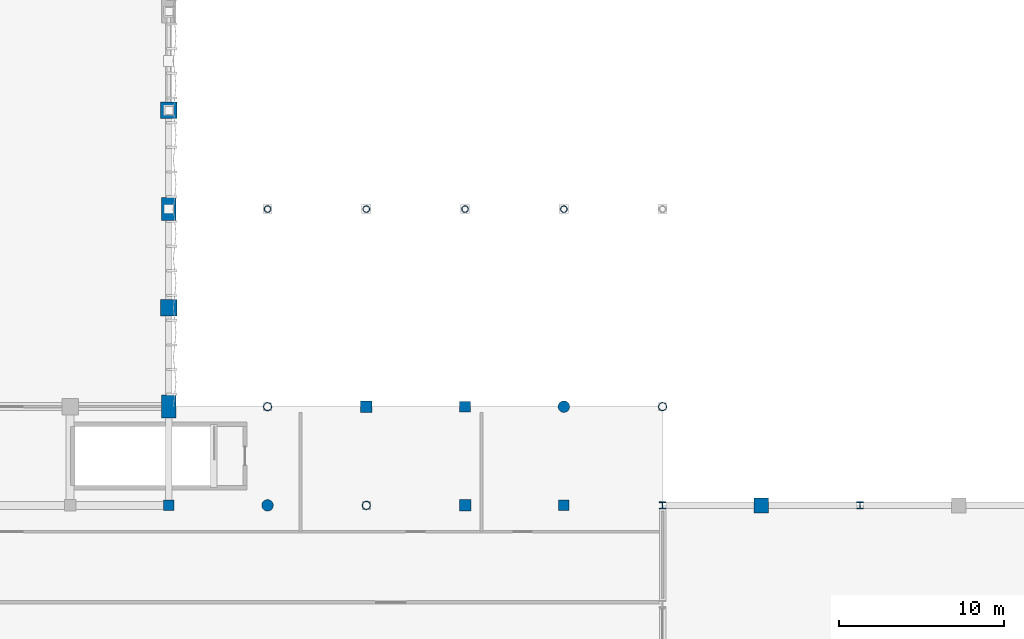
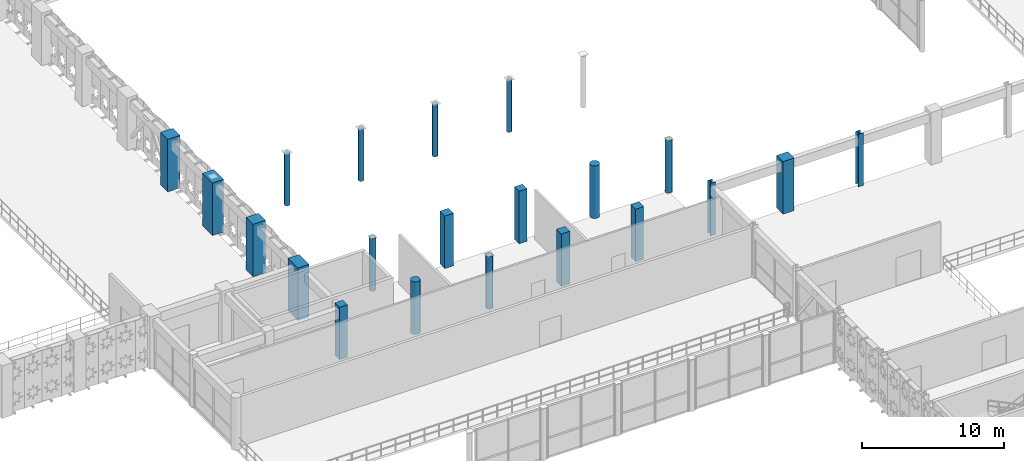
# One storey, part 4 of 116: 21 columns.
"""IFC4 building model written with IfcOpenShell, lengths in metres."""

from ifc_helpers import new_model, si_unit, direction, frame, origin, origin_2d, place, context, subcontext, project, spatial, rectangle, circle, hollow_circle, i_section, extrude, material, material_profile, profile_set, type_object, element, save


model = new_model("IFC4")

# Units and contexts
model_context = context("Model", 3, precision=1e-05, world=origin(), true_north=direction((0.0, 1.0)))
body_context = subcontext(model_context, "Body", "Model", "MODEL_VIEW")
ifc_project = project(units=[si_unit("LENGTHUNIT", "METRE"), si_unit("AREAUNIT", "SQUARE_METRE"), si_unit("VOLUMEUNIT", "CUBIC_METRE"), si_unit("PLANEANGLEUNIT", "RADIAN"), si_unit("MASSUNIT", "GRAM", prefix="KILO"), si_unit("THERMODYNAMICTEMPERATUREUNIT", "KELVIN"), si_unit("POWERUNIT", "WATT")], contexts=[model_context])

# Site, building, storey
site_placement = place(None, origin())
site = spatial("IfcSite", under=ifc_project, at=site_placement, CompositionType="ELEMENT")
building_placement = place(site_placement, origin())
building = spatial("IfcBuilding", under=site, at=building_placement, Name="Phaisarnlok Congress Hotel", CompositionType="ELEMENT")
storey_placement = place(building_placement, frame((0.0, 0.0, 10.5)))
storey = spatial("IfcBuildingStorey", under=building, at=storey_placement, Name="L02", CompositionType="ELEMENT", Elevation=10.5)

# Columns
ifc_material_1 = material(Name="Concrete C50/60", Category="concrete")
ifc_material_profile_1 = material_profile(ifc_material_1, rectangle(XDim=1.0, YDim=1.0, at=origin_2d()), Name="RC 1000x1000")
ifc_profile_set_1 = profile_set([ifc_material_profile_1], Name="Concrete C50/60")
column_type_1 = type_object("IfcColumnType", Name="COL-RC-1000", PredefinedType="COLUMN", material=ifc_profile_set_1)
for number, where, z_axis, x_axis, name in (
    (1, (66.0, 48.0, 0.0), (0.0, 0.0, 1.0), (1.0, 0.0, 0.0), "Column C-09 (L02)"),
    (2, (66.0, 60.0, 0.0), (0.0, 0.0, 1.0), (1.0, 0.0, 0.0), "Column C-09 (L02)"),
):
    element("IfcColumn", number, at=place(storey_placement, frame(where, z_axis=z_axis, x_axis=x_axis)), inside=storey, type_object=column_type_1, Name=name, PredefinedType="COLUMN", context=body_context, shape_type="SweptSolid", body=[
        extrude(rectangle(XDim=1.0, YDim=1.0, at=origin_2d()), origin(), (0.0, 0.0, 1.0), 4.5),
    ])
ifc_material_profile_2 = material_profile(ifc_material_1, rectangle(XDim=0.64990234375, YDim=0.64990234375, at=origin_2d()), Name="RC 650x650")
ifc_profile_set_2 = profile_set([ifc_material_profile_2], Name="Concrete C50/60")
column_type_2 = type_object("IfcColumnType", Name="COL-RC-650", PredefinedType="COLUMN", material=ifc_profile_set_2)
for number, where, z_axis, x_axis, name in (
    (3, (66.0, 36.0, 0.0), (0.0, 0.0, 1.0), (1.0, 0.0, 0.0), "Column C-04 (L02)"),
    (4, (84.0, 42.0, 0.0), (0.0, 0.0, 1.0), (1.0, 0.0, 0.0), "Column C-04 (L02)"),
    (5, (90.0, 36.0, 0.0), (0.0, 0.0, 1.0), (1.0, 0.0, 0.0), "Column C-04 (L02)"),
):
    element("IfcColumn", number, at=place(storey_placement, frame(where, z_axis=z_axis, x_axis=x_axis)), inside=storey, type_object=column_type_2, Name=name, PredefinedType="COLUMN", context=body_context, shape_type="SweptSolid", body=[
        extrude(rectangle(XDim=0.64990234375, YDim=0.64990234375, at=origin_2d()), origin(), (0.0, 0.0, 1.0), 4.5),
    ])
ifc_material_profile_3 = material_profile(ifc_material_1, rectangle(XDim=0.699951171875, YDim=0.699951171875, at=origin_2d()), Name="RC 700x700")
ifc_profile_set_3 = profile_set([ifc_material_profile_3], Name="Concrete C50/60")
column_type_3 = type_object("IfcColumnType", Name="COL-RC-700", PredefinedType="COLUMN", material=ifc_profile_set_3)
for number, where, z_axis, x_axis, name in (
    (6, (78.0, 42.0, 0.0), (0.0, 0.0, 1.0), (1.0, 0.0, 0.0), "Column C-05 (L02)"),
    (7, (84.0, 36.0, 0.0), (0.0, 0.0, 1.0), (1.0, 0.0, 0.0), "Column C-05 (L02)"),
):
    element("IfcColumn", number, at=place(storey_placement, frame(where, z_axis=z_axis, x_axis=x_axis)), inside=storey, type_object=column_type_3, Name=name, PredefinedType="COLUMN", context=body_context, shape_type="SweptSolid", body=[
        extrude(rectangle(XDim=0.699951171875, YDim=0.699951171875, at=origin_2d()), origin(), (0.0, 0.0, 1.0), 4.5),
    ])
ifc_material_profile_4 = material_profile(ifc_material_1, rectangle(XDim=0.89990234375, YDim=0.89990234375, at=origin_2d()), Name="RC 900x900")
ifc_profile_set_4 = profile_set([ifc_material_profile_4], Name="Concrete C50/60")
column_type_4 = type_object("IfcColumnType", Name="COL-RC-900", PredefinedType="COLUMN", material=ifc_profile_set_4)
column_placement = place(storey_placement, frame((102.0, 36.0, 0.0), z_axis=(0.0, 0.0, 1.0), x_axis=(1.0, 0.0, 0.0)))
element("IfcColumn", 8, at=column_placement, inside=storey, type_object=column_type_4, Name="Column C-08 (L02)", PredefinedType="COLUMN", context=body_context, shape_type="SweptSolid", body=[
    extrude(rectangle(XDim=0.89990234375, YDim=0.89990234375, at=origin_2d()), origin(), (0.0, 0.0, 1.0), 4.5),
])
ifc_material_profile_5 = material_profile(ifc_material_1, rectangle(XDim=0.89990234375, YDim=1.39990234375, at=origin_2d()), Name="RC 900x1400")
ifc_profile_set_5 = profile_set([ifc_material_profile_5], Name="Concrete C50/60")
column_type_5 = type_object("IfcColumnType", Name="COL-RC-900x1400", PredefinedType="COLUMN", material=ifc_profile_set_5)
for number, where, z_axis, x_axis, name in (
    (9, (66.0, 42.0, 0.0), (0.0, 0.0, 1.0), (1.0, 0.0, 0.0), "Column C-12 (L02)"),
    (10, (66.0, 54.0, 0.0), (0.0, 0.0, 1.0), (1.0, 0.0, 0.0), "Column C-12 (L02)"),
):
    element("IfcColumn", number, at=place(storey_placement, frame(where, z_axis=z_axis, x_axis=x_axis)), inside=storey, type_object=column_type_5, Name=name, PredefinedType="COLUMN", context=body_context, shape_type="SweptSolid", body=[
        extrude(rectangle(XDim=0.89990234375, YDim=1.39990234375, at=origin_2d()), origin(), (0.0, 0.0, 1.0), 4.5),
    ])
ifc_material_profile_6 = material_profile(ifc_material_1, circle(Radius=0.35009765625, at=origin_2d()), Name="RCC D700")
ifc_profile_set_6 = profile_set([ifc_material_profile_6], Name="Concrete C50/60")
column_type_6 = type_object("IfcColumnType", Name="COL-RCC-700", PredefinedType="COLUMN", material=ifc_profile_set_6)
for number, where, z_axis, x_axis, name in (
    (11, (72.0, 36.0, 0.0), (0.0, 0.0, 1.0), (1.0, 0.0, 0.0), "Column C-13 (L02)"),
    (12, (90.0, 42.0, 0.0), (0.0, 0.0, 1.0), (1.0, 0.0, 0.0), "Column C-13 (L02)"),
):
    element("IfcColumn", number, at=place(storey_placement, frame(where, z_axis=z_axis, x_axis=x_axis)), inside=storey, type_object=column_type_6, Name=name, PredefinedType="COLUMN", context=body_context, shape_type="SweptSolid", body=[
        extrude(circle(Radius=0.35009765625, at=origin_2d()), origin(), (0.0, 0.0, 1.0), 4.5),
    ])
ifc_material_2 = material(Name="Steel S355", Category="steel")
ifc_material_profile_7 = material_profile(ifc_material_2, hollow_circle(Radius=0.203125, WallThickness=0.02001953125, at=origin_2d()), Name="CHS 406.4x20")
ifc_profile_set_7 = profile_set([ifc_material_profile_7], Name="Steel S355")
column_type_7 = type_object("IfcColumnType", Name="COL-STL-CHS406-EXT", PredefinedType="COLUMN", material=ifc_profile_set_7)
for number, where, z_axis, x_axis, name in (
    (13, (72.0, 54.0, 0.0), (0.0, 0.0, 1.0), (1.0, 0.0, 0.0), "Cloister colonnade wing-truss anchor column SC-02E (L02)"),
    (14, (78.0, 54.0, 0.0), (0.0, 0.0, 1.0), (1.0, 0.0, 0.0), "Cloister colonnade wing-truss anchor column SC-02E (L02)"),
    (15, (84.0, 54.0, 0.0), (0.0, 0.0, 1.0), (1.0, 0.0, 0.0), "Cloister colonnade wing-truss anchor column SC-02E (L02)"),
    (16, (90.0, 54.0, 0.0), (0.0, 0.0, 1.0), (1.0, 0.0, 0.0), "Cloister colonnade wing-truss anchor column SC-02E (L02)"),
):
    element("IfcColumn", number, at=place(storey_placement, frame(where, z_axis=z_axis, x_axis=x_axis)), inside=storey, type_object=column_type_7, Name=name, PredefinedType="COLUMN", context=body_context, shape_type="SweptSolid", body=[
        extrude(hollow_circle(Radius=0.203125, WallThickness=0.02001953125, at=origin_2d()), origin(), (0.0, 0.0, 1.0), 4.5),
    ])
ifc_material_profile_8 = material_profile(ifc_material_2, hollow_circle(Radius=0.25390625, WallThickness=0.02490234375, at=origin_2d()), Name="CHS 508x25")
ifc_profile_set_8 = profile_set([ifc_material_profile_8], Name="Steel S355")
column_type_8 = type_object("IfcColumnType", Name="COL-STL-CHS508", PredefinedType="COLUMN", material=ifc_profile_set_8)
for number, where, z_axis, x_axis, name in (
    (17, (72.0, 42.0, 0.0), (0.0, 0.0, 1.0), (1.0, 0.0, 0.0), "Column SC-03 (L02)"),
    (18, (78.0, 36.0, 0.0), (0.0, 0.0, 1.0), (1.0, 0.0, 0.0), "Column SC-03 (L02)"),
    (19, (96.0, 42.0, 0.0), (0.0, 0.0, 1.0), (1.0, 0.0, 0.0), "Column SC-03 (L02)"),
):
    element("IfcColumn", number, at=place(storey_placement, frame(where, z_axis=z_axis, x_axis=x_axis)), inside=storey, type_object=column_type_8, Name=name, PredefinedType="COLUMN", context=body_context, shape_type="SweptSolid", body=[
        extrude(hollow_circle(Radius=0.25390625, WallThickness=0.02490234375, at=origin_2d()), origin(), (0.0, 0.0, 1.0), 4.5),
    ])
ifc_material_profile_9 = material_profile(ifc_material_2, i_section(OverallWidth=0.406005859375, OverallDepth=0.416015625, WebThickness=0.021484375, FlangeThickness=0.034912109375, FilletRadius=0.014892578125, at=origin_2d()), Name="HD 400x382")
ifc_profile_set_9 = profile_set([ifc_material_profile_9], Name="Steel S355")
column_type_9 = type_object("IfcColumnType", Name="COL-STL-HD382", PredefinedType="COLUMN", material=ifc_profile_set_9)
for number, where, z_axis, x_axis, name in (
    (20, (96.0, 36.0, 0.0), (0.0, 0.0, 1.0), (1.0, 0.0, 0.0), "Column SC-05 (L02)"),
    (21, (108.0, 36.0, 0.0), (0.0, 0.0, 1.0), (1.0, 0.0, 0.0), "Column SC-05 (L02)"),
):
    element("IfcColumn", number, at=place(storey_placement, frame(where, z_axis=z_axis, x_axis=x_axis)), inside=storey, type_object=column_type_9, Name=name, PredefinedType="COLUMN", context=body_context, shape_type="SweptSolid", body=[
        extrude(i_section(OverallWidth=0.406005859375, OverallDepth=0.416015625, WebThickness=0.021484375, FlangeThickness=0.034912109375, FilletRadius=0.014892578125, at=origin_2d()), origin(), (0.0, 0.0, 1.0), 4.5),
    ])

save(model, "model.ifc")
